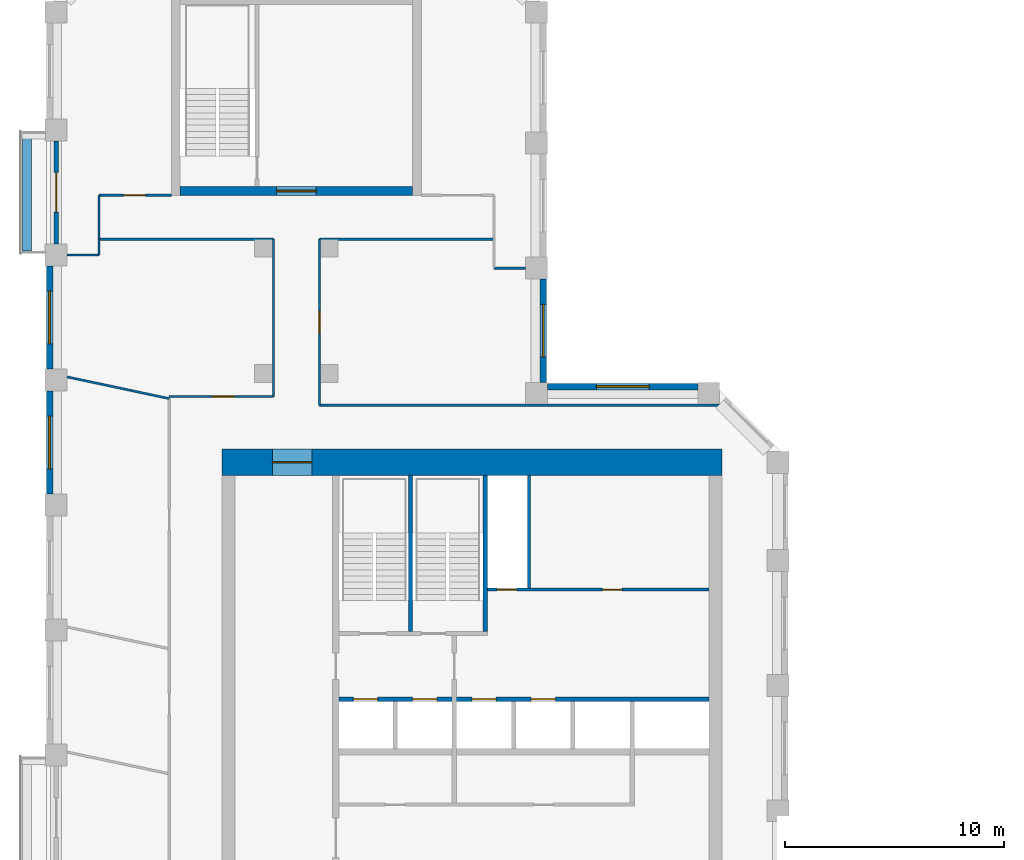
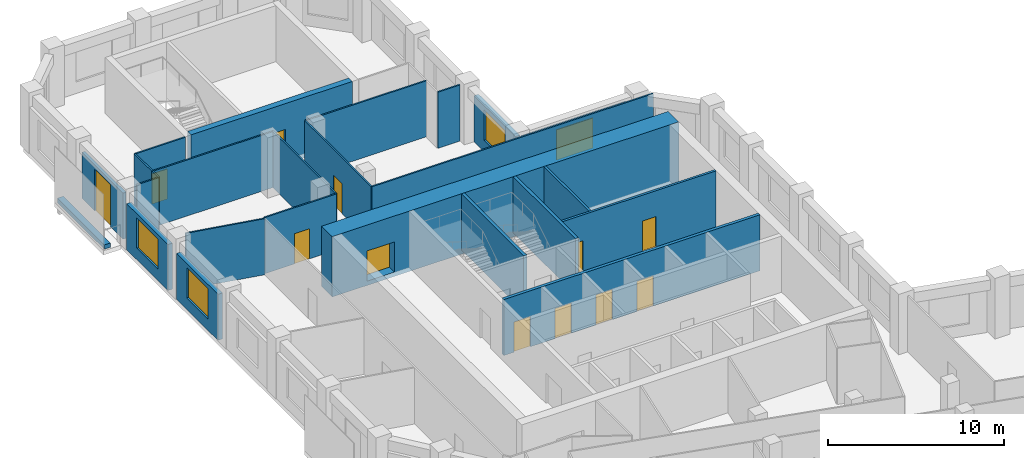
# One storey, part 6 of 9: 25 walls, 12 doors, 4 windows, 16 openings.
"""IFC4 building model written with IfcOpenShell, lengths in metres."""

from ifc_helpers import new_model, si_unit, direction, frame, frame_2d, origin, place, context, subcontext, project, spatial, rectangle, extrude, material, layer, layer_set, type_object, element, fill, save


model = new_model("IFC4")

# Units and contexts
model_context = context("Model", 3, precision=1e-05, world=origin(), true_north=direction((0.0, 1.0)))
body_context = subcontext(model_context, "Body", "Model", "MODEL_VIEW")
ifc_project = project(units=[si_unit("LENGTHUNIT", "METRE"), si_unit("AREAUNIT", "SQUARE_METRE"), si_unit("VOLUMEUNIT", "CUBIC_METRE"), si_unit("PLANEANGLEUNIT", "RADIAN"), si_unit("MASSUNIT", "GRAM", prefix="KILO")], contexts=[model_context])

# Site, building, storey
site_placement = place(None, origin())
site = spatial("IfcSite", under=ifc_project, at=site_placement, CompositionType="ELEMENT")
building_placement = place(site_placement, origin())
building = spatial("IfcBuilding", under=site, at=building_placement, Name="Meshkara Civic Tower", CompositionType="ELEMENT")
storey_placement = place(building_placement, frame((0.0, 0.0, 294.0)))
storey = spatial("IfcBuildingStorey", under=building, at=storey_placement, Name="L67", CompositionType="ELEMENT", Elevation=294.0)

# Wall, openings, doors
ifc_material_1 = material(Name="Blockwork", Category="masonry")
ifc_layer_1 = layer(ifc_material_1, 0.14990234375)
ifc_layer_set_1 = layer_set([ifc_layer_1], Name="Core partition 150")
wall_type_1 = type_object("IfcWallType", Name="Core partition 150", PredefinedType="PARTITIONING", material=ifc_layer_set_1)
wall_1_placement = place(storey_placement, frame((20.10009765625, 30.5, 0.0), z_axis=(0.0, 0.0, 1.0), x_axis=(1.0, 0.0, 0.0)))
wall_1 = element("IfcWall", 1, at=wall_1_placement, inside=storey, type_object=wall_type_1, Name="L67-C010", PredefinedType="PARTITIONING", context=body_context, shape_type="SweptSolid", body=[
    extrude(rectangle(XDim=10.099853515625, YDim=0.14990234375, at=frame_2d((5.0498046875, 0.0))), origin(), (0.0, 0.0, 1.0), 3.89990234375),
])
opening_1_placement = place(wall_1_placement, frame((0.449951171875, 0.0, 0.0)))
opening_1 = element("IfcOpeningElement", 2, at=opening_1_placement, cuts=wall_1, Name="Opening L67-K013", PredefinedType="OPENING", context=body_context, shape_type="SweptSolid", body=[
    extrude(rectangle(XDim=0.89990234375, YDim=2.10009765625, at=frame_2d((0.449951171875, 1.050048828125))), frame((0.0, 0.0849609375, 0.0), z_axis=(0.0, -1.0, 0.0), x_axis=(1.0, 0.0, 0.0)), (0.0, 0.0, 1.0), 0.169921875),
])
opening_2_placement = place(wall_1_placement, frame((5.25, 0.0, 0.0)))
opening_2 = element("IfcOpeningElement", 3, at=opening_2_placement, cuts=wall_1, Name="Opening L67-K014", PredefinedType="OPENING", context=body_context, shape_type="SweptSolid", body=[
    extrude(rectangle(XDim=0.89990234375, YDim=2.10009765625, at=frame_2d((0.449951171875, 1.050048828125))), frame((0.0, 0.0849609375, 0.0), z_axis=(0.0, -1.0, 0.0), x_axis=(1.0, 0.0, 0.0)), (0.0, 0.0, 1.0), 0.169921875),
])
ifc_material_2 = material(Name="Timber door leaf in steel frame", Category="steel")
door_type_1 = type_object("IfcDoorType", Name="Core room door 900", OperationType="SINGLE_SWING_LEFT", PredefinedType="DOOR", material=ifc_material_2)
door_1_placement = place(opening_2_placement, origin())
door_1 = element("IfcDoor", 4, at=door_1_placement, inside=storey, type_object=door_type_1, Name="L67-K014", OperationType="SINGLE_SWING_LEFT", OverallHeight=2.10009765625, OverallWidth=0.89990234375, PredefinedType="DOOR", context=body_context, shape_type="SweptSolid", body=[
    extrude(rectangle(XDim=0.89990234375, YDim=2.10009765625, at=frame_2d((0.449951171875, 1.050048828125))), frame((0.0, 0.02490234375, 0.0), z_axis=(0.0, -1.0, 0.0), x_axis=(1.0, 0.0, 0.0)), (0.0, 0.0, 1.0), 0.050048828125),
])
fill(opening_2, door_1)
ifc_material_3 = material(Name="Fire-rated door leaf in steel frame", Category="steel")
door_type_2 = type_object("IfcDoorType", Name="Riser door 900", OperationType="SINGLE_SWING_LEFT", PredefinedType="DOOR", material=ifc_material_3)
door_2_placement = place(opening_1_placement, origin())
door_2 = element("IfcDoor", 5, at=door_2_placement, inside=storey, type_object=door_type_2, Name="L67-K013", OperationType="SINGLE_SWING_RIGHT", OverallHeight=2.10009765625, OverallWidth=0.89990234375, PredefinedType="DOOR", context=body_context, shape_type="SweptSolid", body=[
    extrude(rectangle(XDim=0.89990234375, YDim=2.10009765625, at=frame_2d((0.449951171875, 1.050048828125))), frame((0.0, 0.02490234375, 0.0), z_axis=(0.0, -1.0, 0.0), x_axis=(1.0, 0.0, 0.0)), (0.0, 0.0, 1.0), 0.050048828125),
])
fill(opening_1, door_2)

# Wall
wall_2_placement = place(storey_placement, frame((22.0, 30.574951171875, 0.0), z_axis=(0.0, 0.0, 1.0), x_axis=(0.0, 1.0, 0.0)))
element("IfcWall", 6, at=wall_2_placement, inside=storey, type_object=wall_type_1, Name="L67-C020", PredefinedType="PARTITIONING", context=body_context, shape_type="SweptSolid", body=[
    extrude(rectangle(XDim=5.125, YDim=0.14990234375, at=frame_2d((2.5625, 0.0))), origin(), (0.0, 0.0, 1.0), 3.89990234375),
])

# Wall, opening, door
ifc_material_4 = material(Name="Concrete C60", Category="concrete")
ifc_layer_2 = layer(ifc_material_4, 1.199951171875)
ifc_layer_set_2 = layer_set([ifc_layer_2], Name="Core ring wall 1200 C60")
wall_type_2 = type_object("IfcWallType", Name="Core ring wall 1200 C60", PredefinedType="SHEAR", material=ifc_layer_set_2)
wall_3_placement = place(storey_placement, frame((8.0, 36.300048828125, -0.300048828125), z_axis=(0.0, 0.0, 1.0), x_axis=(1.0, 0.0, 0.0)))
wall_3 = element("IfcWall", 7, at=wall_3_placement, inside=storey, type_object=wall_type_2, Name="L67-C002", PredefinedType="SHEAR", context=body_context, shape_type="SweptSolid", body=[
    extrude(rectangle(XDim=22.800048828125, YDim=1.199951171875, at=frame_2d((11.39990234375, 0.0))), origin(), (0.0, 0.0, 1.0), 4.199951171875),
])
opening_3_placement = place(wall_3_placement, frame((2.300048828125, 0.0, 0.300048828125)))
opening_3 = element("IfcOpeningElement", 8, at=opening_3_placement, cuts=wall_3, Name="Opening L67-K020", PredefinedType="OPENING", context=body_context, shape_type="SweptSolid", body=[
    extrude(rectangle(XDim=1.800048828125, YDim=2.10009765625, at=frame_2d((0.89990234375, 1.050048828125))), frame((0.0, 0.60986328125, 0.0), z_axis=(0.0, -1.0, 0.0), x_axis=(1.0, 0.0, 0.0)), (0.0, 0.0, 1.0), 1.219970703125),
])
ifc_material_5 = material(Name="Fire-rated door leaf in steel frame", Category="steel")
door_type_3 = type_object("IfcDoorType", Name="Core double door 1800 EI 60", OperationType="DOUBLE_DOOR_SINGLE_SWING", PredefinedType="DOOR", material=ifc_material_5)
door_3_placement = place(opening_3_placement, origin())
door_3 = element("IfcDoor", 9, at=door_3_placement, inside=storey, type_object=door_type_3, Name="L67-K020", OperationType="DOUBLE_DOOR_SINGLE_SWING", OverallHeight=2.10009765625, OverallWidth=1.800048828125, PredefinedType="DOOR", context=body_context, shape_type="SweptSolid", body=[
    extrude(rectangle(XDim=1.800048828125, YDim=2.10009765625, at=frame_2d((0.89990234375, 1.050048828125))), frame((0.0, 0.02490234375, 0.0), z_axis=(0.0, -1.0, 0.0), x_axis=(1.0, 0.0, 0.0)), (0.0, 0.0, 1.0), 0.050048828125),
])
fill(opening_3, door_3)

# Walls
ifc_material_6 = material(Name="Corridor wall 100")
ifc_layer_3 = layer(ifc_material_6, 0.10009765625)
ifc_layer_set_3 = layer_set([ifc_layer_3], Name="Corridor wall 100")
wall_type_3 = type_object("IfcWallType", Name="Corridor wall 100", PredefinedType="PARTITIONING", material=ifc_layer_set_3)
wall_4_placement = place(storey_placement, frame((2.39990234375, 46.469970703125, 0.0), z_axis=(0.0, 0.0, 1.0), x_axis=(1.0, 0.0, 0.0)))
element("IfcWall", 10, at=wall_4_placement, inside=storey, type_object=wall_type_3, Name="L67-W001", PredefinedType="PARTITIONING", context=body_context, shape_type="SweptSolid", body=[
    extrude(rectangle(XDim=7.9501953125, YDim=0.10009765625, at=frame_2d((3.97509765625, 0.0))), origin(), (0.0, 0.0, 1.0), 3.89990234375),
])
wall_5_placement = place(storey_placement, frame((2.39990234375, 48.469970703125, 0.0), z_axis=(0.0, 0.0, 1.0), x_axis=(0.0, -1.0, 0.0)))
element("IfcWall", 11, at=wall_5_placement, inside=storey, type_object=wall_type_3, Name="L67-W002", PredefinedType="PARTITIONING", context=body_context, shape_type="SweptSolid", body=[
    extrude(rectangle(XDim=2.0, YDim=0.10009765625, at=frame_2d((1.0, 0.0))), origin(), (0.0, 0.0, 1.0), 3.89990234375),
])

# Wall, opening, door
wall_6_placement = place(storey_placement, frame((5.699951171875, 48.469970703125, 0.0), z_axis=(0.0, 0.0, 1.0), x_axis=(-1.0, 0.0, 0.0)))
wall_6 = element("IfcWall", 12, at=wall_6_placement, inside=storey, type_object=wall_type_3, Name="L67-W005", PredefinedType="PARTITIONING", context=body_context, shape_type="SweptSolid", body=[
    extrude(rectangle(XDim=3.300048828125, YDim=0.10009765625, at=frame_2d((1.64990234375, 0.0))), origin(), (0.0, 0.0, 1.0), 3.89990234375),
])
opening_4_placement = place(wall_6_placement, frame((1.179931640625, 0.0, 0.0)))
opening_4 = element("IfcOpeningElement", 13, at=opening_4_placement, cuts=wall_6, Name="Opening L67-D020", PredefinedType="OPENING", context=body_context, shape_type="SweptSolid", body=[
    extrude(rectangle(XDim=1.0, YDim=2.10009765625, at=frame_2d((0.5, 1.050048828125))), frame((0.0, 0.06005859375, 0.0), z_axis=(0.0, -1.0, 0.0), x_axis=(1.0, 0.0, 0.0)), (0.0, 0.0, 1.0), 0.1201171875),
])
ifc_material_7 = material(Name="Door 1000 x 2100")
door_type_4 = type_object("IfcDoorType", Name="Door 1000 x 2100", OperationType="SINGLE_SWING_LEFT", PredefinedType="DOOR", material=ifc_material_7)
door_4_placement = place(opening_4_placement, origin())
door_4 = element("IfcDoor", 14, at=door_4_placement, inside=storey, type_object=door_type_4, Name="L67-D020", OperationType="SINGLE_SWING_LEFT", OverallHeight=2.10009765625, OverallWidth=1.0, PredefinedType="DOOR", context=body_context, shape_type="SweptSolid", body=[
    extrude(rectangle(XDim=1.0, YDim=2.10009765625, at=frame_2d((0.5, 1.050048828125))), frame((0.0, 0.02490234375, 0.0), z_axis=(0.0, -1.0, 0.0), x_axis=(1.0, 0.0, 0.0)), (0.0, 0.0, 1.0), 0.050048828125),
])
fill(opening_4, door_4)

wall_7_placement = place(storey_placement, frame((10.35009765625, 39.300048828125, 0.0), z_axis=(0.0, 0.0, 1.0), x_axis=(-1.0, 0.0, 0.0)))
wall_7 = element("IfcWall", 15, at=wall_7_placement, inside=storey, type_object=wall_type_3, Name="L67-W011", PredefinedType="PARTITIONING", context=body_context, shape_type="SweptSolid", body=[
    extrude(rectangle(XDim=4.75, YDim=0.10009765625, at=frame_2d((2.375, 0.0))), origin(), (0.0, 0.0, 1.0), 3.89990234375),
])
opening_5_placement = place(wall_7_placement, frame((1.780029296875, 0.0, 0.0)))
opening_5 = element("IfcOpeningElement", 16, at=opening_5_placement, cuts=wall_7, Name="Opening L67-D018", PredefinedType="OPENING", context=body_context, shape_type="SweptSolid", body=[
    extrude(rectangle(XDim=1.0, YDim=2.10009765625, at=frame_2d((0.5, 1.050048828125))), frame((0.0, 0.06005859375, 0.0), z_axis=(0.0, -1.0, 0.0), x_axis=(1.0, 0.0, 0.0)), (0.0, 0.0, 1.0), 0.1201171875),
])
door_5_placement = place(opening_5_placement, origin())
door_5 = element("IfcDoor", 17, at=door_5_placement, inside=storey, type_object=door_type_4, Name="L67-D018", OperationType="SINGLE_SWING_RIGHT", OverallHeight=2.10009765625, OverallWidth=1.0, PredefinedType="DOOR", context=body_context, shape_type="SweptSolid", body=[
    extrude(rectangle(XDim=1.0, YDim=2.10009765625, at=frame_2d((0.5, 1.050048828125))), frame((0.0, 0.02490234375, 0.0), z_axis=(0.0, -1.0, 0.0), x_axis=(1.0, 0.0, 0.0)), (0.0, 0.0, 1.0), 0.050048828125),
])
fill(opening_5, door_5)

# Wall
wall_8_placement = place(storey_placement, frame((10.35009765625, 46.469970703125, 0.0), z_axis=(0.0, 0.0, 1.0), x_axis=(0.0, -1.0, 0.0)))
element("IfcWall", 18, at=wall_8_placement, inside=storey, type_object=wall_type_3, Name="L67-W012", PredefinedType="PARTITIONING", context=body_context, shape_type="SweptSolid", body=[
    extrude(rectangle(XDim=7.169921875, YDim=0.10009765625, at=frame_2d((3.5849609375, 0.0))), origin(), (0.0, 0.0, 1.0), 3.89990234375),
])

# Wall, opening, door
wall_9_placement = place(storey_placement, frame((12.449951171875, 38.89990234375, 0.0), z_axis=(0.0, 0.0, 1.0), x_axis=(0.0, 1.0, 0.0)))
wall_9 = element("IfcWall", 19, at=wall_9_placement, inside=storey, type_object=wall_type_3, Name="L67-W013", PredefinedType="PARTITIONING", context=body_context, shape_type="SweptSolid", body=[
    extrude(rectangle(XDim=7.570068359375, YDim=0.10009765625, at=frame_2d((3.78515625, 0.0))), origin(), (0.0, 0.0, 1.0), 3.89990234375),
])
opening_6_placement = place(wall_9_placement, frame((3.280029296875, 0.0, 0.0)))
opening_6 = element("IfcOpeningElement", 20, at=opening_6_placement, cuts=wall_9, Name="Opening L67-D019", PredefinedType="OPENING", context=body_context, shape_type="SweptSolid", body=[
    extrude(rectangle(XDim=1.0, YDim=2.10009765625, at=frame_2d((0.5, 1.050048828125))), frame((0.0, 0.06005859375, 0.0), z_axis=(0.0, -1.0, 0.0), x_axis=(1.0, 0.0, 0.0)), (0.0, 0.0, 1.0), 0.1201171875),
])
door_6_placement = place(opening_6_placement, origin())
door_6 = element("IfcDoor", 21, at=door_6_placement, inside=storey, type_object=door_type_4, Name="L67-D019", OperationType="SINGLE_SWING_RIGHT", OverallHeight=2.10009765625, OverallWidth=1.0, PredefinedType="DOOR", context=body_context, shape_type="SweptSolid", body=[
    extrude(rectangle(XDim=1.0, YDim=2.10009765625, at=frame_2d((0.5, 1.050048828125))), frame((0.0, 0.02490234375, 0.0), z_axis=(0.0, -1.0, 0.0), x_axis=(1.0, 0.0, 0.0)), (0.0, 0.0, 1.0), 0.050048828125),
])
fill(opening_6, door_6)

# Walls
wall_10_placement = place(storey_placement, frame((12.449951171875, 46.469970703125, 0.0), z_axis=(0.0, 0.0, 1.0), x_axis=(1.0, 0.0, 0.0)))
element("IfcWall", 22, at=wall_10_placement, inside=storey, type_object=wall_type_3, Name="L67-W014", PredefinedType="PARTITIONING", context=body_context, shape_type="SweptSolid", body=[
    extrude(rectangle(XDim=7.949951171875, YDim=0.10009765625, at=frame_2d((3.97509765625, 0.0))), origin(), (0.0, 0.0, 1.0), 3.89990234375),
])
wall_11_placement = place(storey_placement, frame((30.9560546875, 38.89990234375, 0.0), z_axis=(0.0, 0.0, 1.0), x_axis=(-1.0, 0.0, 0.0)))
element("IfcWall", 23, at=wall_11_placement, inside=storey, type_object=wall_type_3, Name="L67-W019", PredefinedType="PARTITIONING", context=body_context, shape_type="SweptSolid", body=[
    extrude(rectangle(XDim=18.506103515625, YDim=0.10009765625, at=frame_2d((9.2529296875, 0.0))), origin(), (0.0, 0.0, 1.0), 3.89990234375),
])

# Wall, opening, window
ifc_material_8 = material(Name="Insulated infill panel with bronze anodised aluminium cladding", Category="aluminium")
ifc_layer_4 = layer(ifc_material_8, 0.300048828125)
ifc_layer_set_4 = layer_set([ifc_layer_4], Name="EXTERNAL INFILL WALL 300")
wall_type_4 = type_object("IfcWallType", Name="EXTERNAL INFILL WALL 300", PredefinedType="SOLIDWALL", material=ifc_layer_set_4)
wall_12_placement = place(storey_placement, frame((29.694091796875, 39.75, 0.0), z_axis=(0.0, 0.0, 1.0), x_axis=(-1.0, 0.0, 0.0)))
wall_12 = element("IfcWall", 24, at=wall_12_placement, inside=storey, type_object=wall_type_4, Name="External wall", PredefinedType="SOLIDWALL", context=body_context, shape_type="SweptSolid", body=[
    extrude(rectangle(XDim=6.843994140625, YDim=0.300048828125, at=frame_2d((3.421875, 0.0))), origin(), (0.0, 0.0, 1.0), 3.199951171875),
])
opening_7_placement = place(wall_12_placement, frame((2.221923828125, 0.0, 0.800048828125)))
opening_7 = element("IfcOpeningElement", 25, at=opening_7_placement, cuts=wall_12, Name="Opening W7", PredefinedType="OPENING", context=body_context, shape_type="SweptSolid", body=[
    extrude(rectangle(XDim=2.39990234375, YDim=2.10009765625, at=frame_2d((1.199951171875, 1.050048828125))), frame((0.0, 0.159912109375, 0.0), z_axis=(0.0, -1.0, 0.0), x_axis=(1.0, 0.0, 0.0)), (0.0, 0.0, 1.0), 0.320068359375),
])
ifc_material_9 = material(Name="Tinted double glazing", Category="glass")
window_type = type_object("IfcWindowType", Name="WINDOW 2400x2100", PartitioningType="DOUBLE_PANEL_VERTICAL", PredefinedType="WINDOW", material=ifc_material_9)
window_1_placement = place(opening_7_placement, origin())
window_1 = element("IfcWindow", 26, at=window_1_placement, inside=storey, type_object=window_type, Name="Window", OverallHeight=2.10009765625, OverallWidth=2.39990234375, PartitioningType="DOUBLE_PANEL_VERTICAL", PredefinedType="WINDOW", context=body_context, shape_type="SweptSolid", body=[
    extrude(rectangle(XDim=2.39990234375, YDim=2.10009765625, at=frame_2d((1.199951171875, 1.050048828125))), frame((0.0, 0.030029296875, 0.0), z_axis=(0.0, -1.0, 0.0), x_axis=(1.0, 0.0, 0.0)), (0.0, 0.0, 1.0), 0.06005859375),
])
fill(opening_7, window_1)

wall_13_placement = place(storey_placement, frame((22.64990234375, 39.949951171875, 0.0), z_axis=(0.0, 0.0, 1.0), x_axis=(0.0, 1.0, 0.0)))
wall_13 = element("IfcWall", 27, at=wall_13_placement, inside=storey, type_object=wall_type_4, Name="External wall", PredefinedType="SOLIDWALL", context=body_context, shape_type="SweptSolid", body=[
    extrude(rectangle(XDim=4.699951171875, YDim=0.300048828125, at=frame_2d((2.35009765625, 0.0))), origin(), (0.0, 0.0, 1.0), 3.199951171875),
])
opening_8_placement = place(wall_13_placement, frame((1.14990234375, 0.0, 0.800048828125)))
opening_8 = element("IfcOpeningElement", 28, at=opening_8_placement, cuts=wall_13, Name="Opening W7", PredefinedType="OPENING", context=body_context, shape_type="SweptSolid", body=[
    extrude(rectangle(XDim=2.39990234375, YDim=2.10009765625, at=frame_2d((1.199951171875, 1.050048828125))), frame((0.0, 0.159912109375, 0.0), z_axis=(0.0, -1.0, 0.0), x_axis=(1.0, 0.0, 0.0)), (0.0, 0.0, 1.0), 0.320068359375),
])
window_2_placement = place(opening_8_placement, origin())
window_2 = element("IfcWindow", 29, at=window_2_placement, inside=storey, type_object=window_type, Name="Window", OverallHeight=2.10009765625, OverallWidth=2.39990234375, PartitioningType="DOUBLE_PANEL_VERTICAL", PredefinedType="WINDOW", context=body_context, shape_type="SweptSolid", body=[
    extrude(rectangle(XDim=2.39990234375, YDim=2.10009765625, at=frame_2d((1.199951171875, 1.050048828125))), frame((0.0, 0.030029296875, 0.0), z_axis=(0.0, -1.0, 0.0), x_axis=(1.0, 0.0, 0.0)), (0.0, 0.0, 1.0), 0.06005859375),
])
fill(opening_8, window_2)

wall_14_placement = place(storey_placement, frame((0.14990234375, 45.2548828125, 0.0), z_axis=(0.0, 0.0, 1.0), x_axis=(0.0, -1.0, 0.0)))
wall_14 = element("IfcWall", 30, at=wall_14_placement, inside=storey, type_object=wall_type_4, Name="External wall", PredefinedType="SOLIDWALL", context=body_context, shape_type="SweptSolid", body=[
    extrude(rectangle(XDim=4.699951171875, YDim=0.300048828125, at=frame_2d((2.35009765625, 0.0))), origin(), (0.0, 0.0, 1.0), 3.199951171875),
])
opening_9_placement = place(wall_14_placement, frame((1.14990234375, 0.0, 0.800048828125)))
opening_9 = element("IfcOpeningElement", 31, at=opening_9_placement, cuts=wall_14, Name="Opening W7", PredefinedType="OPENING", context=body_context, shape_type="SweptSolid", body=[
    extrude(rectangle(XDim=2.39990234375, YDim=2.10009765625, at=frame_2d((1.199951171875, 1.050048828125))), frame((0.0, 0.159912109375, 0.0), z_axis=(0.0, -1.0, 0.0), x_axis=(1.0, 0.0, 0.0)), (0.0, 0.0, 1.0), 0.320068359375),
])
window_3_placement = place(opening_9_placement, origin())
window_3 = element("IfcWindow", 32, at=window_3_placement, inside=storey, type_object=window_type, Name="Window", OverallHeight=2.10009765625, OverallWidth=2.39990234375, PartitioningType="DOUBLE_PANEL_VERTICAL", PredefinedType="WINDOW", context=body_context, shape_type="SweptSolid", body=[
    extrude(rectangle(XDim=2.39990234375, YDim=2.10009765625, at=frame_2d((1.199951171875, 1.050048828125))), frame((0.0, 0.030029296875, 0.0), z_axis=(0.0, -1.0, 0.0), x_axis=(1.0, 0.0, 0.0)), (0.0, 0.0, 1.0), 0.06005859375),
])
fill(opening_9, window_3)

wall_15_placement = place(storey_placement, frame((0.14990234375, 39.554931640625, 0.0), z_axis=(0.0, 0.0, 1.0), x_axis=(0.0, -1.0, 0.0)))
wall_15 = element("IfcWall", 33, at=wall_15_placement, inside=storey, type_object=wall_type_4, Name="External wall", PredefinedType="SOLIDWALL", context=body_context, shape_type="SweptSolid", body=[
    extrude(rectangle(XDim=4.699951171875, YDim=0.300048828125, at=frame_2d((2.35009765625, 0.0))), origin(), (0.0, 0.0, 1.0), 3.199951171875),
])
opening_10_placement = place(wall_15_placement, frame((1.14990234375, 0.0, 0.800048828125)))
opening_10 = element("IfcOpeningElement", 34, at=opening_10_placement, cuts=wall_15, Name="Opening W7", PredefinedType="OPENING", context=body_context, shape_type="SweptSolid", body=[
    extrude(rectangle(XDim=2.39990234375, YDim=2.10009765625, at=frame_2d((1.199951171875, 1.050048828125))), frame((0.0, 0.159912109375, 0.0), z_axis=(0.0, -1.0, 0.0), x_axis=(1.0, 0.0, 0.0)), (0.0, 0.0, 1.0), 0.320068359375),
])
window_4_placement = place(opening_10_placement, origin())
window_4 = element("IfcWindow", 35, at=window_4_placement, inside=storey, type_object=window_type, Name="Window", OverallHeight=2.10009765625, OverallWidth=2.39990234375, PartitioningType="DOUBLE_PANEL_VERTICAL", PredefinedType="WINDOW", context=body_context, shape_type="SweptSolid", body=[
    extrude(rectangle(XDim=2.39990234375, YDim=2.10009765625, at=frame_2d((1.199951171875, 1.050048828125))), frame((0.0, 0.030029296875, 0.0), z_axis=(0.0, -1.0, 0.0), x_axis=(1.0, 0.0, 0.0)), (0.0, 0.0, 1.0), 0.06005859375),
])
fill(opening_10, window_4)

# Wall, opening, door
ifc_material_10 = material(Name="Concrete C60", Category="concrete")
ifc_layer_5 = layer(ifc_material_10, 0.39990234375)
ifc_layer_set_5 = layer_set([ifc_layer_5], Name="End core ring wall 400 C60")
wall_type_5 = type_object("IfcWallType", Name="End core ring wall 400 C60", PredefinedType="SHEAR", material=ifc_layer_set_5)
wall_16_placement = place(storey_placement, frame((6.10009765625, 48.669921875, -0.300048828125), z_axis=(0.0, 0.0, 1.0), x_axis=(1.0, 0.0, 0.0)))
wall_16 = element("IfcWall", 36, at=wall_16_placement, inside=storey, type_object=wall_type_5, Name="L67-C028", PredefinedType="SHEAR", context=body_context, shape_type="SweptSolid", body=[
    extrude(rectangle(XDim=10.599853515625, YDim=0.39990234375, at=frame_2d((5.2998046875, 0.0))), origin(), (0.0, 0.0, 1.0), 4.199951171875),
])
opening_11_placement = place(wall_16_placement, frame((4.39990234375, 0.0, 0.300048828125)))
opening_11 = element("IfcOpeningElement", 37, at=opening_11_placement, cuts=wall_16, Name="Opening L67-K102", PredefinedType="OPENING", context=body_context, shape_type="SweptSolid", body=[
    extrude(rectangle(XDim=1.800048828125, YDim=2.10009765625, at=frame_2d((0.89990234375, 1.050048828125))), frame((0.0, 0.2099609375, 0.0), z_axis=(0.0, -1.0, 0.0), x_axis=(1.0, 0.0, 0.0)), (0.0, 0.0, 1.0), 0.419921875),
])
door_7_placement = place(opening_11_placement, origin())
door_7 = element("IfcDoor", 38, at=door_7_placement, inside=storey, type_object=door_type_3, Name="L67-K102", OperationType="DOUBLE_DOOR_SINGLE_SWING", OverallHeight=2.10009765625, OverallWidth=1.800048828125, PredefinedType="DOOR", context=body_context, shape_type="SweptSolid", body=[
    extrude(rectangle(XDim=1.800048828125, YDim=2.10009765625, at=frame_2d((0.89990234375, 1.050048828125))), frame((0.0, 0.02490234375, 0.0), z_axis=(0.0, -1.0, 0.0), x_axis=(1.0, 0.0, 0.0)), (0.0, 0.0, 1.0), 0.050048828125),
])
fill(opening_11, door_7)

ifc_material_11 = material(Name="Insulated infill panel with bronze anodised aluminium cladding", Category="aluminium")
ifc_layer_6 = layer(ifc_material_11, 0.199951171875)
ifc_layer_set_6 = layer_set([ifc_layer_6], Name="LOGGIA BACK WALL 200")
wall_type_6 = type_object("IfcWallType", Name="LOGGIA BACK WALL 200", PredefinedType="SOLIDWALL", material=ifc_layer_set_6)
wall_17_placement = place(storey_placement, frame((0.449951171875, 50.9541015625, 0.0), z_axis=(0.0, 0.0, 1.0), x_axis=(0.0, -1.0, 0.0)))
wall_17 = element("IfcWall", 39, at=wall_17_placement, inside=storey, type_object=wall_type_6, Name="Loggia wall", PredefinedType="SOLIDWALL", context=body_context, shape_type="SweptSolid", body=[
    extrude(rectangle(XDim=4.697998046875, YDim=0.199951171875, at=frame_2d((2.34912109375, 0.0))), origin(), (0.0, 0.0, 1.0), 3.199951171875),
])
opening_12_placement = place(wall_17_placement, frame((1.448974609375, 0.0, 0.0)))
opening_12 = element("IfcOpeningElement", 40, at=opening_12_placement, cuts=wall_17, Name="Opening L67-L001", PredefinedType="OPENING", context=body_context, shape_type="SweptSolid", body=[
    extrude(rectangle(XDim=1.800048828125, YDim=2.89990234375, at=frame_2d((0.89990234375, 1.449951171875))), frame((0.0, 0.10986328125, 0.0), z_axis=(0.0, -1.0, 0.0), x_axis=(1.0, 0.0, 0.0)), (0.0, 0.0, 1.0), 0.219970703125),
])
ifc_material_12 = material(Name="Tinted double glazing", Category="glass")
door_type_5 = type_object("IfcDoorType", Name="LOGGIA DOOR 1800x2900", OperationType="DOUBLE_DOOR_SINGLE_SWING", PredefinedType="DOOR", material=ifc_material_12)
door_8_placement = place(opening_12_placement, origin())
door_8 = element("IfcDoor", 41, at=door_8_placement, inside=storey, type_object=door_type_5, Name="L67-L001", OperationType="DOUBLE_DOOR_SINGLE_SWING", OverallHeight=2.89990234375, OverallWidth=1.800048828125, PredefinedType="DOOR", context=body_context, shape_type="SweptSolid", body=[
    extrude(rectangle(XDim=1.800048828125, YDim=2.89990234375, at=frame_2d((0.89990234375, 1.449951171875))), frame((0.0, 0.02490234375, 0.0), z_axis=(0.0, -1.0, 0.0), x_axis=(1.0, 0.0, 0.0)), (0.0, 0.0, 1.0), 0.050048828125),
])
fill(opening_12, door_8)

# Walls
ifc_material_13 = material(Name="Concrete C40", Category="concrete")
ifc_layer_7 = layer(ifc_material_13, 0.39990234375)
ifc_layer_set_7 = layer_set([ifc_layer_7], Name="PLANTER TRAY")
wall_type_7 = type_object("IfcWallType", Name="PLANTER TRAY", PredefinedType="SOLIDWALL", material=ifc_layer_set_7)
wall_18_placement = place(storey_placement, frame((-0.8798828125, 51.284912109375, 0.0), z_axis=(0.0, 0.0, 1.0), x_axis=(0.0, -1.0, 0.0)))
element("IfcWall", 42, at=wall_18_placement, inside=storey, type_object=wall_type_7, Name="Planter", PredefinedType="SOLIDWALL", context=body_context, shape_type="SweptSolid", body=[
    extrude(rectangle(XDim=5.35986328125, YDim=0.39990234375, at=frame_2d((2.679931640625, 0.0))), origin(), (0.0, 0.0, 1.0), 0.300048828125),
])
ifc_material_14 = material(Name="Partition 100")
ifc_layer_8 = layer(ifc_material_14, 0.10009765625)
ifc_layer_set_8 = layer_set([ifc_layer_8], Name="Partition 100")
wall_type_8 = type_object("IfcWallType", Name="Partition 100", PredefinedType="PARTITIONING", material=ifc_layer_set_8)
wall_19_placement = place(storey_placement, frame((2.39990234375, 45.7548828125, 0.0), z_axis=(0.0, 0.0, 1.0), x_axis=(-1.0, 0.0, 0.0)))
element("IfcWall", 43, at=wall_19_placement, inside=storey, type_object=wall_type_8, Name="L67-W034", PredefinedType="PARTITIONING", context=body_context, shape_type="SweptSolid", body=[
    extrude(rectangle(XDim=1.449951171875, YDim=0.10009765625, at=frame_2d((0.72509765625, 0.0))), origin(), (0.0, 0.0, 1.0), 3.89990234375),
])
wall_20_placement = place(storey_placement, frame((2.39990234375, 46.47412109375, 0.0), z_axis=(0.0, 0.0, 1.0), x_axis=(0.0, -1.0, 0.0)))
element("IfcWall", 44, at=wall_20_placement, inside=storey, type_object=wall_type_8, Name="L67-W035", PredefinedType="PARTITIONING", context=body_context, shape_type="SweptSolid", body=[
    extrude(rectangle(XDim=0.71923828125, YDim=0.10009765625, at=frame_2d((0.359619140625, 0.0))), origin(), (0.0, 0.0, 1.0), 3.89990234375),
])
wall_21_placement = place(storey_placement, frame((5.60009765625, 39.205078125, 0.0), z_axis=(0.0, 0.0, 1.0), x_axis=(-0.9781221615, 0.208031337021, 0.0)))
element("IfcWall", 45, at=wall_21_placement, inside=storey, type_object=wall_type_8, Name="L67-W038", PredefinedType="PARTITIONING", context=body_context, shape_type="SweptSolid", body=[
    extrude(rectangle(XDim=4.754150390625, YDim=0.10009765625, at=frame_2d((2.376953125, 0.0))), origin(), (0.0, 0.0, 1.0), 3.89990234375),
])
wall_22_placement = place(storey_placement, frame((21.85009765625, 45.14990234375, 0.0), z_axis=(0.0, 0.0, 1.0), x_axis=(-1.0, 0.0, 0.0)))
element("IfcWall", 46, at=wall_22_placement, inside=storey, type_object=wall_type_8, Name="L67-W045", PredefinedType="PARTITIONING", context=body_context, shape_type="SweptSolid", body=[
    extrude(rectangle(XDim=1.4501953125, YDim=0.10009765625, at=frame_2d((0.72509765625, 0.0))), origin(), (0.0, 0.0, 1.0), 3.89990234375),
])

# Wall, openings, doors
ifc_material_15 = material(Name="Concrete C40/50", Category="concrete")
ifc_layer_9 = layer(ifc_material_15, 0.199951171875)
ifc_layer_set_9 = layer_set([ifc_layer_9], Name="Shaft wall 200 C40/50")
wall_type_9 = type_object("IfcWallType", Name="Shaft wall 200 C40/50", PredefinedType="SOLIDWALL", material=ifc_layer_set_9)
wall_23_placement = place(storey_placement, frame((13.35009765625, 25.5, 0.0), z_axis=(0.0, 0.0, 1.0), x_axis=(1.0, 0.0, 0.0)))
wall_23 = element("IfcWall", 47, at=wall_23_placement, inside=storey, type_object=wall_type_9, Name="L67-C008", PredefinedType="SOLIDWALL", context=body_context, shape_type="SweptSolid", body=[
    extrude(rectangle(XDim=16.849853515625, YDim=0.199951171875, at=frame_2d((8.4248046875, 0.0))), origin(), (0.0, 0.0, 1.0), 3.89990234375),
])
opening_13_placement = place(wall_23_placement, frame((0.64990234375, 0.0, 0.0)))
opening_13 = element("IfcOpeningElement", 48, at=opening_13_placement, cuts=wall_23, Name="Opening L67-K005", PredefinedType="OPENING", context=body_context, shape_type="SweptSolid", body=[
    extrude(rectangle(XDim=1.10009765625, YDim=2.10009765625, at=frame_2d((0.550048828125, 1.050048828125))), frame((0.0, 0.10986328125, 0.0), z_axis=(0.0, -1.0, 0.0), x_axis=(1.0, 0.0, 0.0)), (0.0, 0.0, 1.0), 0.219970703125),
])
opening_14_placement = place(wall_23_placement, frame((3.35009765625, 0.0, 0.0)))
opening_14 = element("IfcOpeningElement", 49, at=opening_14_placement, cuts=wall_23, Name="Opening L67-K006", PredefinedType="OPENING", context=body_context, shape_type="SweptSolid", body=[
    extrude(rectangle(XDim=1.10009765625, YDim=2.10009765625, at=frame_2d((0.550048828125, 1.050048828125))), frame((0.0, 0.10986328125, 0.0), z_axis=(0.0, -1.0, 0.0), x_axis=(1.0, 0.0, 0.0)), (0.0, 0.0, 1.0), 0.219970703125),
])
opening_15_placement = place(wall_23_placement, frame((6.050048828125, 0.0, 0.0)))
opening_15 = element("IfcOpeningElement", 50, at=opening_15_placement, cuts=wall_23, Name="Opening L67-K007", PredefinedType="OPENING", context=body_context, shape_type="SweptSolid", body=[
    extrude(rectangle(XDim=1.10009765625, YDim=2.10009765625, at=frame_2d((0.550048828125, 1.050048828125))), frame((0.0, 0.10986328125, 0.0), z_axis=(0.0, -1.0, 0.0), x_axis=(1.0, 0.0, 0.0)), (0.0, 0.0, 1.0), 0.219970703125),
])
opening_16_placement = place(wall_23_placement, frame((8.75, 0.0, 0.0)))
opening_16 = element("IfcOpeningElement", 51, at=opening_16_placement, cuts=wall_23, Name="Opening L67-K008", PredefinedType="OPENING", context=body_context, shape_type="SweptSolid", body=[
    extrude(rectangle(XDim=1.10009765625, YDim=2.10009765625, at=frame_2d((0.550048828125, 1.050048828125))), frame((0.0, 0.10986328125, 0.0), z_axis=(0.0, -1.0, 0.0), x_axis=(1.0, 0.0, 0.0)), (0.0, 0.0, 1.0), 0.219970703125),
])
ifc_material_16 = material(Name="Stainless steel landing door", Category="steel")
door_type_6 = type_object("IfcDoorType", Name="Lift landing door 1100", OperationType="SLIDING_TO_LEFT", PredefinedType="DOOR", material=ifc_material_16)
door_9_placement = place(opening_13_placement, origin())
door_9 = element("IfcDoor", 52, at=door_9_placement, inside=storey, type_object=door_type_6, Name="L67-K005", OperationType="SLIDING_TO_LEFT", OverallHeight=2.10009765625, OverallWidth=1.10009765625, PredefinedType="DOOR", context=body_context, shape_type="SweptSolid", body=[
    extrude(rectangle(XDim=1.10009765625, YDim=2.10009765625, at=frame_2d((0.550048828125, 1.050048828125))), frame((0.0, 0.02490234375, 0.0), z_axis=(0.0, -1.0, 0.0), x_axis=(1.0, 0.0, 0.0)), (0.0, 0.0, 1.0), 0.050048828125),
])
fill(opening_13, door_9)
door_10_placement = place(opening_14_placement, origin())
door_10 = element("IfcDoor", 53, at=door_10_placement, inside=storey, type_object=door_type_6, Name="L67-K006", OperationType="SLIDING_TO_LEFT", OverallHeight=2.10009765625, OverallWidth=1.10009765625, PredefinedType="DOOR", context=body_context, shape_type="SweptSolid", body=[
    extrude(rectangle(XDim=1.10009765625, YDim=2.10009765625, at=frame_2d((0.550048828125, 1.050048828125))), frame((0.0, 0.02490234375, 0.0), z_axis=(0.0, -1.0, 0.0), x_axis=(1.0, 0.0, 0.0)), (0.0, 0.0, 1.0), 0.050048828125),
])
fill(opening_14, door_10)
door_11_placement = place(opening_15_placement, origin())
door_11 = element("IfcDoor", 54, at=door_11_placement, inside=storey, type_object=door_type_6, Name="L67-K007", OperationType="SLIDING_TO_LEFT", OverallHeight=2.10009765625, OverallWidth=1.10009765625, PredefinedType="DOOR", context=body_context, shape_type="SweptSolid", body=[
    extrude(rectangle(XDim=1.10009765625, YDim=2.10009765625, at=frame_2d((0.550048828125, 1.050048828125))), frame((0.0, 0.02490234375, 0.0), z_axis=(0.0, -1.0, 0.0), x_axis=(1.0, 0.0, 0.0)), (0.0, 0.0, 1.0), 0.050048828125),
])
fill(opening_15, door_11)
door_12_placement = place(opening_16_placement, origin())
door_12 = element("IfcDoor", 55, at=door_12_placement, inside=storey, type_object=door_type_6, Name="L67-K008", OperationType="SLIDING_TO_LEFT", OverallHeight=2.10009765625, OverallWidth=1.10009765625, PredefinedType="DOOR", context=body_context, shape_type="SweptSolid", body=[
    extrude(rectangle(XDim=1.10009765625, YDim=2.10009765625, at=frame_2d((0.550048828125, 1.050048828125))), frame((0.0, 0.02490234375, 0.0), z_axis=(0.0, -1.0, 0.0), x_axis=(1.0, 0.0, 0.0)), (0.0, 0.0, 1.0), 0.050048828125),
])
fill(opening_16, door_12)

# Walls
ifc_material_17 = material(Name="Concrete C40/50", Category="concrete")
ifc_layer_10 = layer(ifc_material_17, 0.199951171875)
ifc_layer_set_10 = layer_set([ifc_layer_10], Name="Stair enclosure wall 200 C40/50")
wall_type_10 = type_object("IfcWallType", Name="Stair enclosure wall 200 C40/50", PredefinedType="SOLIDWALL", material=ifc_layer_set_10)
for number, where, z_axis, x_axis, name in (
    (56, (16.60009765625, 28.60009765625, 0.0), (0.0, 0.0, 1.0), (0.0, 1.0, 0.0), "L67-C014"),
    (57, (20.0, 28.60009765625, 0.0), (0.0, 0.0, 1.0), (0.0, 1.0, 0.0), "L67-C018"),
):
    element("IfcWall", number, at=place(storey_placement, frame(where, z_axis=z_axis, x_axis=x_axis)), inside=storey, type_object=wall_type_10, Name=name, PredefinedType="SOLIDWALL", context=body_context, shape_type="SweptSolid", body=[
        extrude(rectangle(XDim=7.099853515625, YDim=0.199951171875, at=frame_2d((3.5498046875, 0.0))), origin(), (0.0, 0.0, 1.0), 3.89990234375),
    ])

save(model, "model.ifc")
